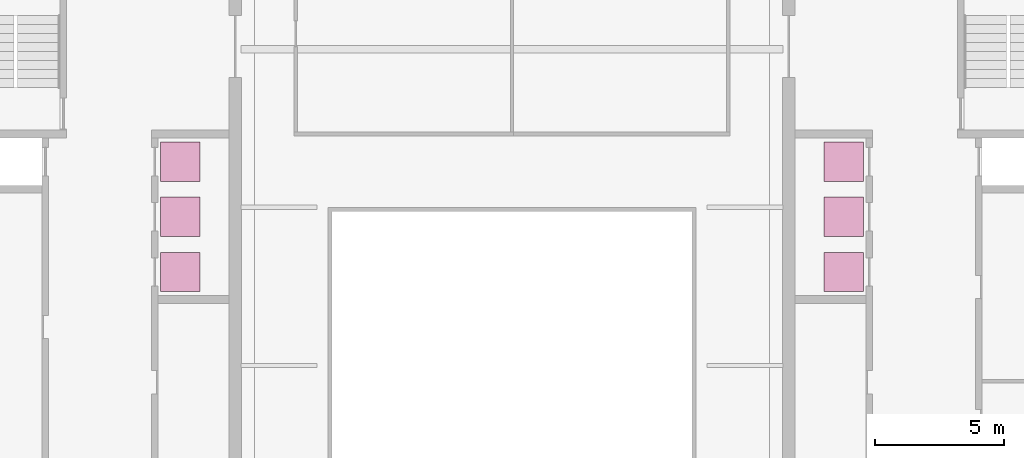
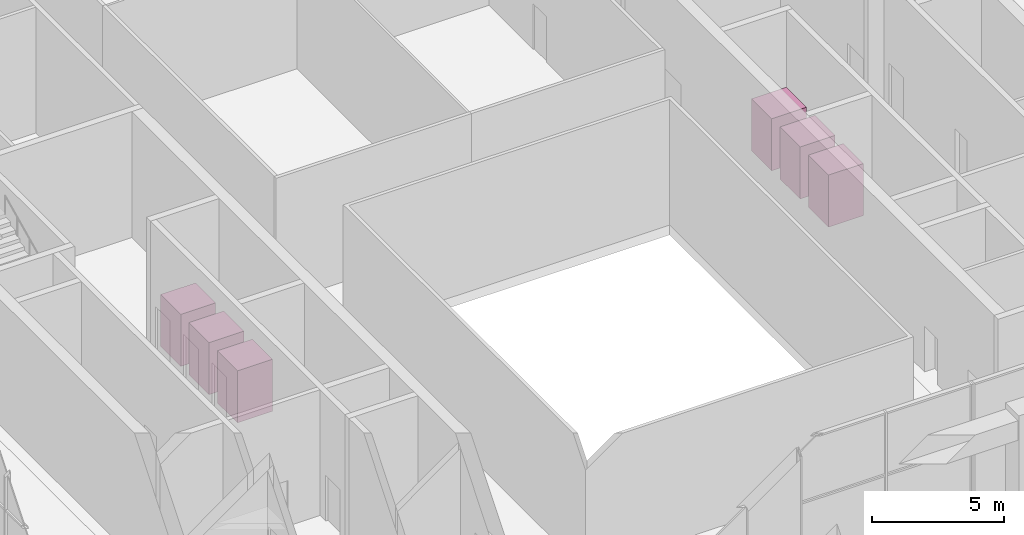
# One storey, part 20 of 20: 6 transport elements.
"""IFC4 building model written with IfcOpenShell, lengths in metres."""

from ifc_helpers import new_model, si_unit, direction, frame, origin, origin_2d, place, context, subcontext, project, spatial, rectangle, extrude, material, type_object, element, save


model = new_model("IFC4")

# Units and contexts
model_context = context("Model", 3, precision=1e-05, world=origin(), true_north=direction((0.0, 1.0)))
body_context = subcontext(model_context, "Body", "Model", "MODEL_VIEW")
ifc_project = project(units=[si_unit("LENGTHUNIT", "METRE"), si_unit("AREAUNIT", "SQUARE_METRE"), si_unit("VOLUMEUNIT", "CUBIC_METRE"), si_unit("PLANEANGLEUNIT", "RADIAN"), si_unit("MASSUNIT", "GRAM", prefix="KILO")], contexts=[model_context])

# Site, building, storey
site_placement = place(None, origin())
site = spatial("IfcSite", under=ifc_project, at=site_placement, CompositionType="ELEMENT")
building_placement = place(site_placement, origin())
building = spatial("IfcBuilding", under=site, at=building_placement, Name="Ogive Exchange Tower", CompositionType="ELEMENT")
storey_placement = place(building_placement, frame((0.0, 0.0, 303.0)))
storey = spatial("IfcBuildingStorey", under=building, at=storey_placement, Name="L66", CompositionType="ELEMENT", Elevation=303.0)

# Transport elements
ifc_material = material(Name="Stainless steel", Category="steel")
transport_element_type = type_object("IfcTransportElementType", Name="Passenger lift 1525 x 1525", PredefinedType="ELEVATOR", material=ifc_material)
for number, where, z_axis, x_axis, name in (
    (1, (-12.887451171875, 13.642822265625, 0.0), (0.0, 0.0, 1.0), (1.0, 0.0, 0.0), "Passenger lift W-H1"),
    (2, (-12.887451171875, 15.78564453125, 0.0), (0.0, 0.0, 1.0), (1.0, 0.0, 0.0), "Passenger lift W-H2"),
    (3, (-12.887451171875, 17.9287109375, 0.0), (0.0, 0.0, 1.0), (1.0, 0.0, 0.0), "Passenger lift W-H3"),
    (4, (12.887451171875, 13.642822265625, 0.0), (0.0, 0.0, 1.0), (1.0, 0.0, 0.0), "Passenger lift E-H1"),
    (5, (12.887451171875, 15.78564453125, 0.0), (0.0, 0.0, 1.0), (1.0, 0.0, 0.0), "Passenger lift E-H2"),
    (6, (12.887451171875, 17.9287109375, 0.0), (0.0, 0.0, 1.0), (1.0, 0.0, 0.0), "Passenger lift E-H3"),
):
    element("IfcTransportElement", number, at=place(storey_placement, frame(where, z_axis=z_axis, x_axis=x_axis)), inside=storey, type_object=transport_element_type, Name=name, PredefinedType="ELEVATOR", context=body_context, shape_type="SweptSolid", body=[
        extrude(rectangle(XDim=1.52490234375, YDim=1.52490234375, at=origin_2d()), origin(), (0.0, 0.0, 1.0), 2.39990234375),
    ])

save(model, "model.ifc")
